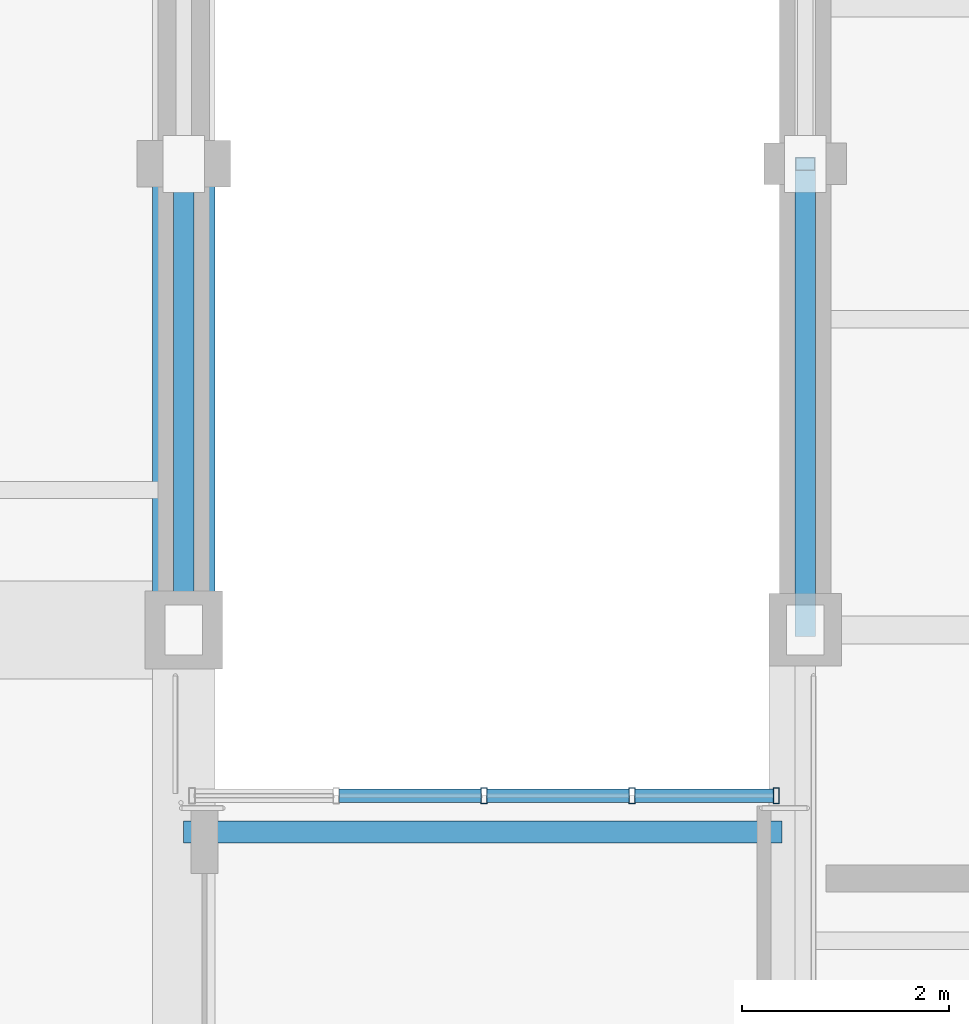
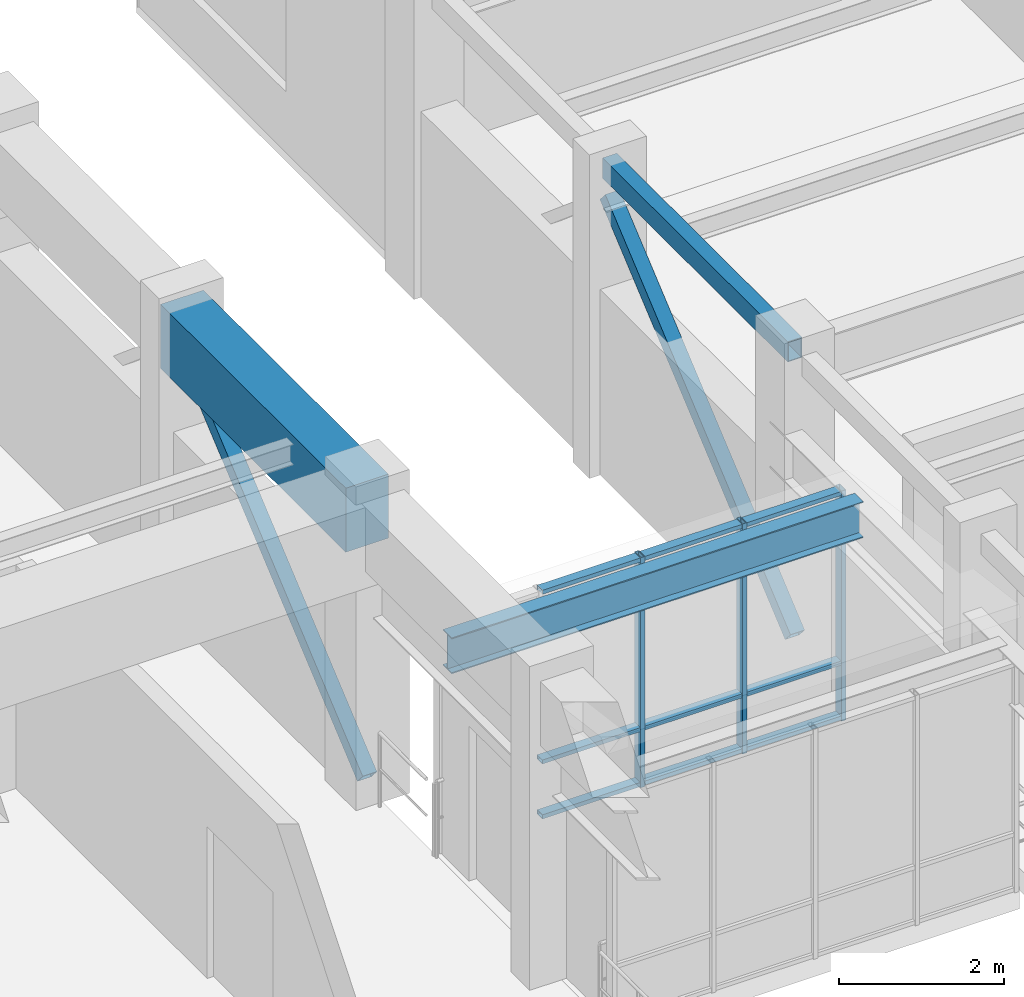
# One storey, part 55 of 99: 14 members, 3 beams, 1 element without a shape of its own.
"""IFC4 building model written with IfcOpenShell, lengths in metres."""

from ifc_helpers import new_model, si_unit, direction, frame, origin, origin_2d, place, context, subcontext, project, spatial, rectangle, hollow_rectangle, i_section, extrude, material, layer, layer_set, material_profile, profile_set, type_object, element, aggregate, save


model = new_model("IFC4")

# Units and contexts
model_context = context("Model", 3, precision=1e-05, world=origin(), true_north=direction((0.0, 1.0)))
body_context = subcontext(model_context, "Body", "Model", "MODEL_VIEW")
ifc_project = project(units=[si_unit("LENGTHUNIT", "METRE"), si_unit("AREAUNIT", "SQUARE_METRE"), si_unit("VOLUMEUNIT", "CUBIC_METRE"), si_unit("PLANEANGLEUNIT", "RADIAN"), si_unit("MASSUNIT", "GRAM", prefix="KILO")], contexts=[model_context])

# Site, building, storey
site_placement = place(None, origin())
site = spatial("IfcSite", under=ifc_project, at=site_placement, CompositionType="ELEMENT")
building_placement = place(site_placement, origin())
building = spatial("IfcBuilding", under=site, at=building_placement, Name="Ventoquebrada Cableway Terminal", CompositionType="ELEMENT")
storey_placement = place(building_placement, frame((0.0, 0.0, 9.60009765625)))
storey = spatial("IfcBuildingStorey", under=building, at=storey_placement, Name="L02", CompositionType="ELEMENT", Elevation=9.60009765625)

# Beams
ifc_material_1 = material(Name="Concrete C40/50", Category="concrete")
ifc_material_profile_1 = material_profile(ifc_material_1, rectangle(XDim=0.60009765625, YDim=0.949951171875, at=origin_2d()), Name="RC-BM-600X950")
ifc_profile_set_1 = profile_set([ifc_material_profile_1], Name="Concrete C40/50")
beam_type_1 = type_object("IfcBeamType", Name="BM-RC05", PredefinedType="BEAM", material=ifc_profile_set_1)
beam_1_placement = place(storey_placement, frame((123.0, 86.0, 4.054931640625), z_axis=(0.0, 1.0, 0.0), x_axis=(-1.0, 0.0, 0.0)))
element("IfcBeam", 1, at=beam_1_placement, inside=storey, type_object=beam_type_1, Name="Perimeter spandrel beam FBM-0697", PredefinedType="BEAM", context=body_context, shape_type="SweptSolid", body=[
    extrude(rectangle(XDim=0.60009765625, YDim=0.949951171875, at=origin_2d()), origin(), (0.0, 0.0, 1.0), 4.5),
])
ifc_material_2 = material(Name="Steel ASTM A992 Grade 50", Category="steel")
ifc_material_profile_2 = material_profile(ifc_material_2, i_section(OverallWidth=0.2099609375, OverallDepth=0.532958984375, WebThickness=0.01025390625, FlangeThickness=0.015625, at=origin_2d()), Name="W21X62")
ifc_profile_set_2 = profile_set([ifc_material_profile_2], Name="Steel ASTM A992 Grade 50")
beam_type_2 = type_object("IfcBeamType", Name="BM-ST01", PredefinedType="BEAM", material=ifc_profile_set_2)
beam_2_placement = place(storey_placement, frame((123.0, 84.050048828125, 3.183837890625), z_axis=(1.0, 0.0, 0.0), x_axis=(0.0, 1.0, 0.0)))
element("IfcBeam", 2, at=beam_2_placement, inside=storey, type_object=beam_type_2, Name="Link bridge roof girder LP-4 FBM-1127", PredefinedType="BEAM", context=body_context, shape_type="SweptSolid", body=[
    extrude(i_section(OverallWidth=0.2099609375, OverallDepth=0.532958984375, WebThickness=0.01025390625, FlangeThickness=0.015625, at=origin_2d()), origin(), (0.0, 0.0, 1.0), 5.77490234375),
])

# Members
ifc_material_3 = material(Name="Steel ASTM A500 Grade C", Category="steel")
ifc_material_profile_3 = material_profile(ifc_material_3, hollow_rectangle(XDim=0.199951171875, YDim=0.199951171875, WallThickness=0.010009765625, at=origin_2d()), Name="HSS200X200X10")
ifc_profile_set_3 = profile_set([ifc_material_profile_3], Name="Steel ASTM A500 Grade C")
member_type_1 = type_object("IfcMemberType", Name="BRC-FR01", PredefinedType="BRACE", material=ifc_profile_set_3)
for number, where, z_axis, x_axis, name in (
    (3, (129.0, 86.0, 0.14990234375), (0.0, 0.764025829276, 0.645185657155), (-1.0, 0.0, 0.0), "Concentric lateral chevron brace BR-0531"),
    (4, (123.0, 86.0, 0.14990234375), (0.0, 0.764025829276, 0.645185657155), (-1.0, 0.0, 0.0), "Concentric lateral chevron brace BR-0543"),
):
    element("IfcMember", number, at=place(storey_placement, frame(where, z_axis=z_axis, x_axis=x_axis)), inside=storey, type_object=member_type_1, Name=name, PredefinedType="BRACE", context=body_context, shape_type="SweptSolid", body=[
        extrude(hollow_rectangle(XDim=0.199951171875, YDim=0.199951171875, WallThickness=0.010009765625, at=origin_2d()), origin(), (0.0, 0.0, 1.0), 5.889892578125),
    ])

# Curtain wall, members
ifc_material_4 = material(Name="Anodized thermally-broken aluminium", Category="aluminium")
ifc_layer = layer(ifc_material_4, 0.159912109375)
ifc_layer_set = layer_set([ifc_layer], Name="Anodized thermally-broken aluminium")
curtain_wall_type = type_object("IfcCurtainWallType", Name="CW-T56", PredefinedType="USERDEFINED", material=ifc_layer_set)
curtain_wall_placement = place(storey_placement, origin())
curtain_wall = element("IfcCurtainWall", 5, at=curtain_wall_placement, inside=storey, type_object=curtain_wall_type, Name="Unitised glazed curtain wall CW-176", ObjectType="UNITISED CURTAIN WALL", PredefinedType="USERDEFINED")
ifc_material_profile_4 = material_profile(ifc_material_4, hollow_rectangle(XDim=0.06005859375, YDim=0.14990234375, WallThickness=0.00390625, at=origin_2d()), Name="CW-MUL-60X150")
ifc_profile_set_4 = profile_set([ifc_material_profile_4], Name="Anodized thermally-broken aluminium")
member_type_2 = type_object("IfcMemberType", Name="CWM-03", PredefinedType="MULLION", material=ifc_profile_set_4)
member_1_placement = place(storey_placement, frame((128.719970703125, 84.39990234375, -0.008056640625), z_axis=(0.0, 0.0, 1.0), x_axis=(-1.0, 0.0, 0.0)))
member_1 = element("IfcMember", 6, at=member_1_placement, type_object=member_type_2, Name="Curtain wall mullion FML-0882", PredefinedType="MULLION", context=body_context, shape_type="SweptSolid", body=[
    extrude(hollow_rectangle(XDim=0.06005859375, YDim=0.14990234375, WallThickness=0.00390625, at=origin_2d()), origin(), (0.0, 0.0, 1.0), 3.412841796875),
])
member_2_placement = place(storey_placement, frame((127.327880859375, 84.39990234375, -0.008056640625), z_axis=(0.0, 0.0, 1.0), x_axis=(-1.0, 0.0, 0.0)))
member_2 = element("IfcMember", 7, at=member_2_placement, type_object=member_type_2, Name="Curtain wall mullion FML-0883", PredefinedType="MULLION", context=body_context, shape_type="SweptSolid", body=[
    extrude(hollow_rectangle(XDim=0.06005859375, YDim=0.14990234375, WallThickness=0.00390625, at=origin_2d()), origin(), (0.0, 0.0, 1.0), 3.412841796875),
])
member_3_placement = place(storey_placement, frame((125.89990234375, 84.39990234375, -0.008056640625), z_axis=(0.0, 0.0, 1.0), x_axis=(-1.0, 0.0, 0.0)))
member_3 = element("IfcMember", 8, at=member_3_placement, type_object=member_type_2, Name="Curtain wall mullion FML-0884", PredefinedType="MULLION", context=body_context, shape_type="SweptSolid", body=[
    extrude(hollow_rectangle(XDim=0.06005859375, YDim=0.14990234375, WallThickness=0.00390625, at=origin_2d()), origin(), (0.0, 0.0, 1.0), 3.412841796875),
])
ifc_material_profile_5 = material_profile(ifc_material_4, hollow_rectangle(XDim=0.06005859375, YDim=0.1298828125, WallThickness=0.00390625, at=origin_2d()), Name="CW-TRN-60X130")
ifc_profile_set_5 = profile_set([ifc_material_profile_5], Name="Anodized thermally-broken aluminium")
member_type_3 = type_object("IfcMemberType", Name="CWT-02", PredefinedType="USERDEFINED", material=ifc_profile_set_5)
member_4_placement = place(storey_placement, frame((128.695068359375, 84.39990234375, 0.034912109375), z_axis=(-1.0, 0.0, 0.0), x_axis=(0.0, 0.0, 1.0)))
member_4 = element("IfcMember", 9, at=member_4_placement, type_object=member_type_3, Name="Curtain wall transom FTR-2567", ObjectType="TRANSOM", PredefinedType="USERDEFINED", context=body_context, shape_type="SweptSolid", body=[
    extrude(hollow_rectangle(XDim=0.06005859375, YDim=0.1298828125, WallThickness=0.00390625, at=origin_2d()), origin(), (0.0, 0.0, 1.0), 1.343017578125),
])
member_5_placement = place(storey_placement, frame((128.695068359375, 84.39990234375, 0.849853515625), z_axis=(-1.0, 0.0, 0.0), x_axis=(0.0, 0.0, 1.0)))
member_5 = element("IfcMember", 10, at=member_5_placement, type_object=member_type_3, Name="Curtain wall transom FTR-2568", ObjectType="TRANSOM", PredefinedType="USERDEFINED", context=body_context, shape_type="SweptSolid", body=[
    extrude(hollow_rectangle(XDim=0.06005859375, YDim=0.1298828125, WallThickness=0.00390625, at=origin_2d()), origin(), (0.0, 0.0, 1.0), 1.343017578125),
])
member_6_placement = place(storey_placement, frame((128.695068359375, 84.39990234375, 3.364990234375), z_axis=(-1.0, 0.0, 0.0), x_axis=(0.0, 0.0, 1.0)))
member_6 = element("IfcMember", 11, at=member_6_placement, type_object=member_type_3, Name="Curtain wall transom FTR-2569", ObjectType="TRANSOM", PredefinedType="USERDEFINED", context=body_context, shape_type="SweptSolid", body=[
    extrude(hollow_rectangle(XDim=0.06005859375, YDim=0.1298828125, WallThickness=0.00390625, at=origin_2d()), origin(), (0.0, 0.0, 1.0), 1.343017578125),
])
member_7_placement = place(storey_placement, frame((127.302001953125, 84.39990234375, 0.034912109375), z_axis=(-1.0, 0.0, 0.0), x_axis=(0.0, 0.0, 1.0)))
member_7 = element("IfcMember", 12, at=member_7_placement, type_object=member_type_3, Name="Curtain wall transom FTR-2570", ObjectType="TRANSOM", PredefinedType="USERDEFINED", context=body_context, shape_type="SweptSolid", body=[
    extrude(hollow_rectangle(XDim=0.06005859375, YDim=0.1298828125, WallThickness=0.00390625, at=origin_2d()), origin(), (0.0, 0.0, 1.0), 1.376953125),
])
member_8_placement = place(storey_placement, frame((127.302001953125, 84.39990234375, 0.849853515625), z_axis=(-1.0, 0.0, 0.0), x_axis=(0.0, 0.0, 1.0)))
member_8 = element("IfcMember", 13, at=member_8_placement, type_object=member_type_3, Name="Curtain wall transom FTR-2571", ObjectType="TRANSOM", PredefinedType="USERDEFINED", context=body_context, shape_type="SweptSolid", body=[
    extrude(hollow_rectangle(XDim=0.06005859375, YDim=0.1298828125, WallThickness=0.00390625, at=origin_2d()), origin(), (0.0, 0.0, 1.0), 1.376953125),
])
member_9_placement = place(storey_placement, frame((127.302001953125, 84.39990234375, 3.364990234375), z_axis=(-1.0, 0.0, 0.0), x_axis=(0.0, 0.0, 1.0)))
member_9 = element("IfcMember", 14, at=member_9_placement, type_object=member_type_3, Name="Curtain wall transom FTR-2572", ObjectType="TRANSOM", PredefinedType="USERDEFINED", context=body_context, shape_type="SweptSolid", body=[
    extrude(hollow_rectangle(XDim=0.06005859375, YDim=0.1298828125, WallThickness=0.00390625, at=origin_2d()), origin(), (0.0, 0.0, 1.0), 1.376953125),
])
member_10_placement = place(storey_placement, frame((125.875, 84.39990234375, 0.034912109375), z_axis=(-1.0, 0.0, 0.0), x_axis=(0.0, 0.0, 1.0)))
member_10 = element("IfcMember", 15, at=member_10_placement, type_object=member_type_3, Name="Curtain wall transom FTR-2573", ObjectType="TRANSOM", PredefinedType="USERDEFINED", context=body_context, shape_type="SweptSolid", body=[
    extrude(hollow_rectangle(XDim=0.06005859375, YDim=0.1298828125, WallThickness=0.00390625, at=origin_2d()), origin(), (0.0, 0.0, 1.0), 1.376953125),
])
member_11_placement = place(storey_placement, frame((125.875, 84.39990234375, 0.849853515625), z_axis=(-1.0, 0.0, 0.0), x_axis=(0.0, 0.0, 1.0)))
member_11 = element("IfcMember", 16, at=member_11_placement, type_object=member_type_3, Name="Curtain wall transom FTR-2574", ObjectType="TRANSOM", PredefinedType="USERDEFINED", context=body_context, shape_type="SweptSolid", body=[
    extrude(hollow_rectangle(XDim=0.06005859375, YDim=0.1298828125, WallThickness=0.00390625, at=origin_2d()), origin(), (0.0, 0.0, 1.0), 1.376953125),
])
member_12_placement = place(storey_placement, frame((125.875, 84.39990234375, 3.364990234375), z_axis=(-1.0, 0.0, 0.0), x_axis=(0.0, 0.0, 1.0)))
member_12 = element("IfcMember", 17, at=member_12_placement, type_object=member_type_3, Name="Curtain wall transom FTR-2575", ObjectType="TRANSOM", PredefinedType="USERDEFINED", context=body_context, shape_type="SweptSolid", body=[
    extrude(hollow_rectangle(XDim=0.06005859375, YDim=0.1298828125, WallThickness=0.00390625, at=origin_2d()), origin(), (0.0, 0.0, 1.0), 1.376953125),
])
aggregate(curtain_wall, [member_1, member_2, member_3, member_4, member_5, member_6, member_7, member_8, member_9, member_10, member_11, member_12])

# Beam
ifc_material_profile_6 = material_profile(ifc_material_3, hollow_rectangle(XDim=0.199951171875, YDim=0.300048828125, WallThickness=0.012451171875, at=origin_2d()), Name="RHS300X200X12.5")
ifc_profile_set_6 = profile_set([ifc_material_profile_6], Name="Steel ASTM A500 Grade C")
beam_type_3 = type_object("IfcBeamType", Name="SP-ST02", PredefinedType="SPANDREL", material=ifc_profile_set_6)
beam_3_placement = place(storey_placement, frame((129.0, 86.0, 4.3798828125), z_axis=(0.0, 1.0, 0.0), x_axis=(-1.0, 0.0, 0.0)))
element("IfcBeam", 18, at=beam_3_placement, inside=storey, type_object=beam_type_3, Name="Perimeter spandrel beam FBM-0873", PredefinedType="SPANDREL", context=body_context, shape_type="SweptSolid", body=[
    extrude(hollow_rectangle(XDim=0.199951171875, YDim=0.300048828125, WallThickness=0.012451171875, at=origin_2d()), origin(), (0.0, 0.0, 1.0), 4.5),
])

save(model, "model.ifc")
